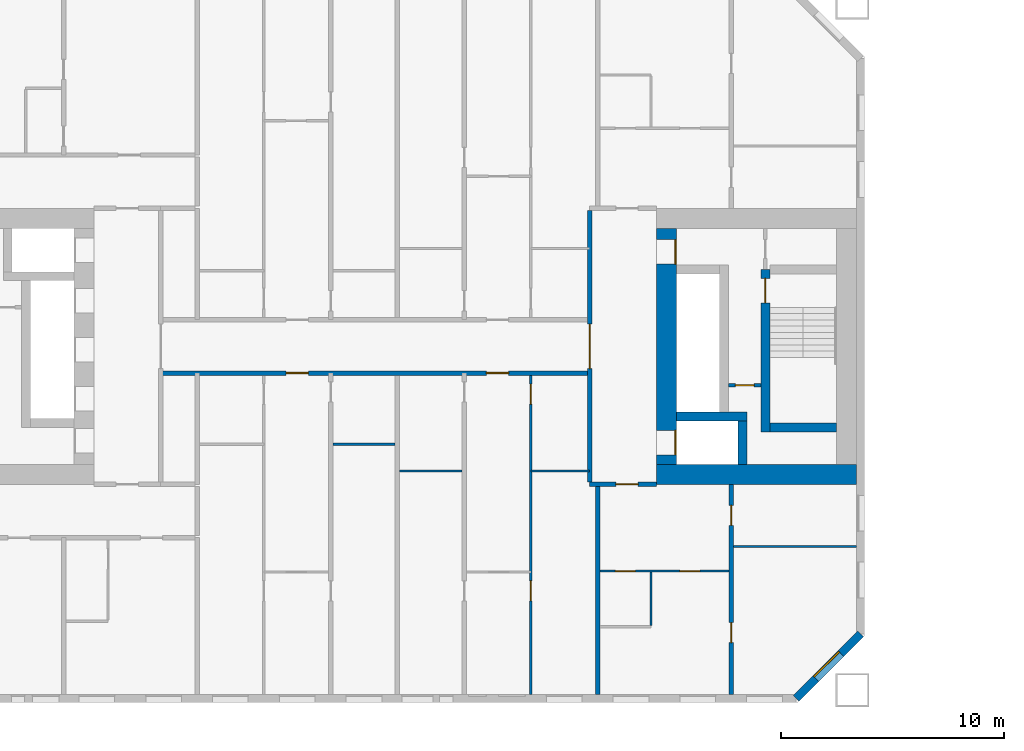
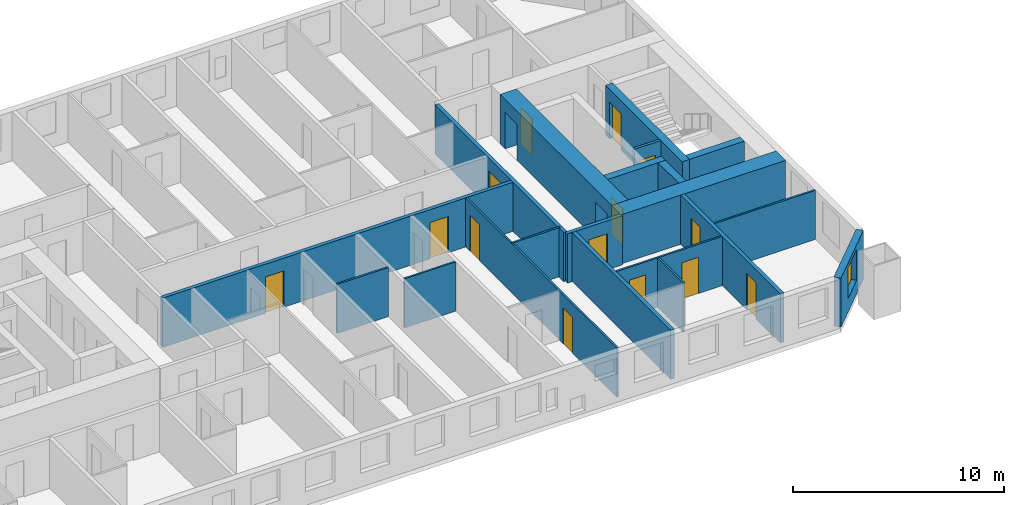
# One storey, part 7 of 17: 20 walls, 14 doors, 1 window, 15 openings.
"""IFC4 building model written with IfcOpenShell, lengths in metres."""

from ifc_helpers import new_model, si_unit, direction, frame, frame_2d, origin, place, context, subcontext, project, spatial, rectangle, extrude, material, layer, layer_set, type_object, element, fill, save


model = new_model("IFC4")

# Units and contexts
model_context = context("Model", 3, precision=1e-05, world=origin(), true_north=direction((0.0, 1.0)))
body_context = subcontext(model_context, "Body", "Model", "MODEL_VIEW")
ifc_project = project(units=[si_unit("LENGTHUNIT", "METRE"), si_unit("AREAUNIT", "SQUARE_METRE"), si_unit("VOLUMEUNIT", "CUBIC_METRE"), si_unit("PLANEANGLEUNIT", "RADIAN"), si_unit("MASSUNIT", "GRAM", prefix="KILO")], contexts=[model_context])

# Site, building, storey
site_placement = place(None, origin())
site = spatial("IfcSite", under=ifc_project, at=site_placement, CompositionType="ELEMENT")
building_placement = place(site_placement, origin())
building = spatial("IfcBuilding", under=site, at=building_placement, Name="Tuart Gate Housing", CompositionType="ELEMENT")
storey_placement = place(building_placement, frame((0.0, 0.0, 28.800048828125)))
storey = spatial("IfcBuildingStorey", under=building, at=storey_placement, Name="L07", CompositionType="ELEMENT", Elevation=28.800048828125)

# Wall, opening, window
ifc_material_1 = material(Name="Brick", Category="masonry")
ifc_layer_1 = layer(ifc_material_1, 0.360107421875)
ifc_layer_set_1 = layer_set([ifc_layer_1], Name="Brick pier and spandrel wall 360")
wall_type_1 = type_object("IfcWallType", Name="Brick pier and spandrel wall 360", PredefinedType="STANDARD", material=ifc_layer_set_1)
wall_1_placement = place(storey_placement, frame((72.92529296875, 54.179931640625, 0.0), z_axis=(0.0, 0.0, 1.0), x_axis=(0.707106781187, 0.707106781187, 0.0)))
wall_1 = element("IfcWall", 1, at=wall_1_placement, inside=storey, type_object=wall_type_1, Name="External wall A-SE L07", PredefinedType="STANDARD", context=body_context, shape_type="SweptSolid", body=[
    extrude(rectangle(XDim=4.09375, YDim=0.360107421875, at=frame_2d((2.046875, 0.0))), origin(), (0.0, 0.0, 1.0), 2.849853515625),
])
opening_1_placement = place(wall_1_placement, frame((1.2470703125, 0.0, 0.800048828125)))
opening_1 = element("IfcOpeningElement", 2, at=opening_1_placement, cuts=wall_1, Name="Opening W1", PredefinedType="OPENING", context=body_context, shape_type="SweptSolid", body=[
    extrude(rectangle(XDim=1.60009765625, YDim=1.800048828125, at=frame_2d((0.800048828125, 0.89990234375))), frame((0.0, 0.18994140625, 0.0), z_axis=(0.0, -1.0, 0.0), x_axis=(1.0, 0.0, 0.0)), (0.0, 0.0, 1.0), 0.380126953125),
])
ifc_material_2 = material(Name="Aluminium frame with clear glass", Category="aluminium")
window_type = type_object("IfcWindowType", Name="Punched window 1600 x 1800", PartitioningType="SINGLE_PANEL", PredefinedType="WINDOW", material=ifc_material_2)
window_placement = place(opening_1_placement, origin())
window = element("IfcWindow", 3, at=window_placement, inside=storey, type_object=window_type, Name="Window W1", OverallHeight=1.800048828125, OverallWidth=1.60009765625, PartitioningType="SINGLE_PANEL", PredefinedType="WINDOW", context=body_context, shape_type="SweptSolid", body=[
    extrude(rectangle(XDim=1.60009765625, YDim=1.800048828125, at=frame_2d((0.800048828125, 0.89990234375))), frame((0.0, 0.150146484375, 0.0), z_axis=(0.0, -1.0, 0.0), x_axis=(1.0, 0.0, 0.0)), (0.0, 0.0, 1.0), 0.06005859375),
])
fill(opening_1, window)

# Wall, opening, door
ifc_material_3 = material(Name="Plasterboard partition")
ifc_layer_2 = layer(ifc_material_3, 0.14990234375)
ifc_layer_set_2 = layer_set([ifc_layer_2], Name="Core partition 150")
wall_type_2 = type_object("IfcWallType", Name="Core partition 150", PredefinedType="PARTITIONING", material=ifc_layer_set_2)
wall_2_placement = place(storey_placement, frame((69.889892578125, 68.25, 0.0), z_axis=(0.0, 0.0, 1.0), x_axis=(1.0, 0.0, 0.0)))
wall_2 = element("IfcWall", 4, at=wall_2_placement, inside=storey, type_object=wall_type_2, Name="Core partition AG.3", PredefinedType="PARTITIONING", context=body_context, shape_type="SweptSolid", body=[
    extrude(rectangle(XDim=1.4501953125, YDim=0.14990234375, at=frame_2d((0.72509765625, 0.0))), origin(), (0.0, 0.0, 1.0), 2.849853515625),
])
opening_2_placement = place(wall_2_placement, frame((0.300048828125, 0.0, 0.0)))
opening_2 = element("IfcOpeningElement", 5, at=opening_2_placement, cuts=wall_2, Name="Opening D505", PredefinedType="OPENING", context=body_context, shape_type="SweptSolid", body=[
    extrude(rectangle(XDim=0.85009765625, YDim=2.10009765625, at=frame_2d((0.425048828125, 1.050048828125))), frame((0.0, 0.0849609375, 0.0), z_axis=(0.0, -1.0, 0.0), x_axis=(1.0, 0.0, 0.0)), (0.0, 0.0, 1.0), 0.169921875),
])
ifc_material_4 = material(Name="Steel fire door", Category="steel")
door_type_1 = type_object("IfcDoorType", Name="Riser door 850 x 2100 RH", OperationType="SINGLE_SWING_RIGHT", PredefinedType="DOOR", material=ifc_material_4)
door_1_placement = place(opening_2_placement, frame((0.85009765625, 0.0, 0.0), z_axis=(0.0, 0.0, 1.0), x_axis=(-1.0, 0.0, 0.0)))
door_1 = element("IfcDoor", 6, at=door_1_placement, inside=storey, type_object=door_type_1, Name="Service room door AG.E1", OperationType="SINGLE_SWING_RIGHT", OverallHeight=2.10009765625, OverallWidth=0.85009765625, PredefinedType="DOOR", context=body_context, shape_type="SweptSolid", body=[
    extrude(rectangle(XDim=0.85009765625, YDim=2.10009765625, at=frame_2d((0.425048828125, 1.050048828125))), frame((0.0, 0.025146484375, 0.0), z_axis=(0.0, -1.0, 0.0), x_axis=(1.0, 0.0, 0.0)), (0.0, 0.0, 1.0), 0.050048828125),
])
fill(opening_2, door_1)

# Walls
ifc_material_5 = material(Name="Concrete C60", Category="concrete")
ifc_layer_3 = layer(ifc_material_5, 0.39990234375)
ifc_layer_set_3 = layer_set([ifc_layer_3], Name="Core wall 400 C60")
wall_type_3 = type_object("IfcWallType", Name="Core wall 400 C60", PredefinedType="SHEAR", material=ifc_layer_set_3)
wall_3_placement = place(storey_placement, frame((71.739990234375, 66.35009765625, 0.0), z_axis=(0.0, 0.0, 1.0), x_axis=(1.0, 0.0, 0.0)))
element("IfcWall", 7, at=wall_3_placement, inside=storey, type_object=wall_type_3, Name="Core wall AG.1", PredefinedType="SHEAR", context=body_context, shape_type="SweptSolid", body=[
    extrude(rectangle(XDim=3.0, YDim=0.39990234375, at=frame_2d((1.5, 0.0))), origin(), (0.0, 0.0, 1.0), 2.849853515625),
])
wall_4_placement = place(storey_placement, frame((67.5400390625, 66.85009765625, 0.0), z_axis=(0.0, 0.0, 1.0), x_axis=(1.0, 0.0, 0.0)))
element("IfcWall", 8, at=wall_4_placement, inside=storey, type_object=wall_type_3, Name="Core wall AG.2", PredefinedType="SHEAR", context=body_context, shape_type="SweptSolid", body=[
    extrude(rectangle(XDim=3.169921875, YDim=0.39990234375, at=frame_2d((1.5849609375, 0.0))), origin(), (0.0, 0.0, 1.0), 2.849853515625),
])
wall_5_placement = place(storey_placement, frame((70.510009765625, 64.699951171875, 0.0), z_axis=(0.0, 0.0, 1.0), x_axis=(0.0, 1.0, 0.0)))
element("IfcWall", 9, at=wall_5_placement, inside=storey, type_object=wall_type_3, Name="Core wall AG.7", PredefinedType="SHEAR", context=body_context, shape_type="SweptSolid", body=[
    extrude(rectangle(XDim=1.949951171875, YDim=0.39990234375, at=frame_2d((0.97509765625, 0.0))), origin(), (0.0, 0.0, 1.0), 2.849853515625),
])

# Wall, opening, door
wall_6_placement = place(storey_placement, frame((71.5400390625, 66.14990234375, 0.0), z_axis=(0.0, 0.0, 1.0), x_axis=(0.0, 1.0, 0.0)))
wall_6 = element("IfcWall", 10, at=wall_6_placement, inside=storey, type_object=wall_type_3, Name="Core wall AG.8", PredefinedType="SHEAR", context=body_context, shape_type="SweptSolid", body=[
    extrude(rectangle(XDim=7.300048828125, YDim=0.39990234375, at=frame_2d((3.64990234375, 0.0))), origin(), (0.0, 0.0, 1.0), 2.849853515625),
])
opening_3_placement = place(wall_6_placement, frame((5.800048828125, 0.0, 0.0)))
opening_3 = element("IfcOpeningElement", 11, at=opening_3_placement, cuts=wall_6, Name="Opening D502", PredefinedType="OPENING", context=body_context, shape_type="SweptSolid", body=[
    extrude(rectangle(XDim=1.10009765625, YDim=2.10009765625, at=frame_2d((0.550048828125, 1.050048828125))), frame((0.0, 0.2099609375, 0.0), z_axis=(0.0, -1.0, 0.0), x_axis=(1.0, 0.0, 0.0)), (0.0, 0.0, 1.0), 0.419921875),
])
ifc_material_6 = material(Name="Steel fire door", Category="steel")
door_type_2 = type_object("IfcDoorType", Name="Stair door 1100 x 2100", OperationType="SINGLE_SWING_LEFT", PredefinedType="DOOR", material=ifc_material_6)
door_2_placement = place(opening_3_placement, frame((1.10009765625, 0.0, 0.0), z_axis=(0.0, 0.0, 1.0), x_axis=(-1.0, 0.0, 0.0)))
door_2 = element("IfcDoor", 12, at=door_2_placement, inside=storey, type_object=door_type_2, Name="Stair door AG.SD", OperationType="SINGLE_SWING_LEFT", OverallHeight=2.10009765625, OverallWidth=1.10009765625, PredefinedType="DOOR", context=body_context, shape_type="SweptSolid", body=[
    extrude(rectangle(XDim=1.10009765625, YDim=2.10009765625, at=frame_2d((0.550048828125, 1.050048828125))), frame((0.0, 0.025146484375, 0.0), z_axis=(0.0, -1.0, 0.0), x_axis=(1.0, 0.0, 0.0)), (0.0, 0.0, 1.0), 0.050048828125),
])
fill(opening_3, door_2)

# Wall, openings, doors
ifc_material_7 = material(Name="Concrete C60", Category="concrete")
ifc_layer_4 = layer(ifc_material_7, 0.89990234375)
ifc_layer_set_4 = layer_set([ifc_layer_4], Name="Core wall 900 C60")
wall_type_4 = type_object("IfcWallType", Name="Core wall 900 C60", PredefinedType="SHEAR", material=ifc_layer_set_4)
wall_7_placement = place(storey_placement, frame((67.090087890625, 64.699951171875, 0.0), z_axis=(0.0, 0.0, 1.0), x_axis=(0.0, 1.0, 0.0)))
wall_7 = element("IfcWall", 13, at=wall_7_placement, inside=storey, type_object=wall_type_4, Name="Core wall AG front", PredefinedType="SHEAR", context=body_context, shape_type="SweptSolid", body=[
    extrude(rectangle(XDim=10.60009765625, YDim=0.89990234375, at=frame_2d((5.300048828125, 0.0))), origin(), (0.0, 0.0, 1.0), 2.849853515625),
])
opening_4_placement = place(wall_7_placement, frame((0.425048828125, 0.0, 0.0)))
opening_4 = element("IfcOpeningElement", 14, at=opening_4_placement, cuts=wall_7, Name="Opening LD-FA1", PredefinedType="OPENING", context=body_context, shape_type="SweptSolid", body=[
    extrude(rectangle(XDim=1.10009765625, YDim=2.10009765625, at=frame_2d((0.550048828125, 1.050048828125))), frame((0.0, 0.4599609375, 0.0), z_axis=(0.0, -1.0, 0.0), x_axis=(1.0, 0.0, 0.0)), (0.0, 0.0, 1.0), 0.919921875),
])
opening_5_placement = place(wall_7_placement, frame((9.0, 0.0, 0.0)))
opening_5 = element("IfcOpeningElement", 15, at=opening_5_placement, cuts=wall_7, Name="Opening D501", PredefinedType="OPENING", context=body_context, shape_type="SweptSolid", body=[
    extrude(rectangle(XDim=1.10009765625, YDim=2.10009765625, at=frame_2d((0.550048828125, 1.050048828125))), frame((0.0, 0.4599609375, 0.0), z_axis=(0.0, -1.0, 0.0), x_axis=(1.0, 0.0, 0.0)), (0.0, 0.0, 1.0), 0.919921875),
])
ifc_material_8 = material(Name="Stainless steel", Category="steel")
door_type_3 = type_object("IfcDoorType", Name="Landing door 1100 x 2100", OperationType="DOUBLE_DOOR_SLIDING", PredefinedType="DOOR", material=ifc_material_8)
door_3_placement = place(opening_4_placement, origin())
door_3 = element("IfcDoor", 16, at=door_3_placement, inside=storey, type_object=door_type_3, Name="Lift landing door FA1", OperationType="DOUBLE_DOOR_SLIDING", OverallHeight=2.10009765625, OverallWidth=1.10009765625, PredefinedType="DOOR", context=body_context, shape_type="SweptSolid", body=[
    extrude(rectangle(XDim=1.10009765625, YDim=2.10009765625, at=frame_2d((0.550048828125, 1.050048828125))), frame((0.0, -0.384765625, 0.0), z_axis=(0.0, -1.0, 0.0), x_axis=(1.0, 0.0, 0.0)), (0.0, 0.0, 1.0), 0.050048828125),
])
fill(opening_4, door_3)
ifc_material_9 = material(Name="Steel fire door", Category="steel")
door_type_4 = type_object("IfcDoorType", Name="Lobby door 1100 x 2100 RH", OperationType="SINGLE_SWING_RIGHT", PredefinedType="DOOR", material=ifc_material_9)
door_4_placement = place(opening_5_placement, frame((1.10009765625, 0.0, 0.0), z_axis=(0.0, 0.0, 1.0), x_axis=(-1.0, 0.0, 0.0)))
door_4 = element("IfcDoor", 17, at=door_4_placement, inside=storey, type_object=door_type_4, Name="Lobby entry door AG.EN", OperationType="SINGLE_SWING_RIGHT", OverallHeight=2.10009765625, OverallWidth=1.10009765625, PredefinedType="DOOR", context=body_context, shape_type="SweptSolid", body=[
    extrude(rectangle(XDim=1.10009765625, YDim=2.10009765625, at=frame_2d((0.550048828125, 1.050048828125))), frame((0.0, 0.434814453125, 0.0), z_axis=(0.0, -1.0, 0.0), x_axis=(1.0, 0.0, 0.0)), (0.0, 0.0, 1.0), 0.050048828125),
])
fill(opening_5, door_4)

# Wall
wall_8_placement = place(storey_placement, frame((66.639892578125, 64.25, 0.0), z_axis=(0.0, 0.0, 1.0), x_axis=(1.0, 0.0, 0.0)))
element("IfcWall", 18, at=wall_8_placement, inside=storey, type_object=wall_type_4, Name="Core wall AG south", PredefinedType="SHEAR", context=body_context, shape_type="SweptSolid", body=[
    extrude(rectangle(XDim=9.0, YDim=0.89990234375, at=frame_2d((4.5, 0.0))), origin(), (0.0, 0.0, 1.0), 2.849853515625),
])

# Wall, openings, doors
ifc_material_10 = material(Name="Concrete masonry 15 MPa", Category="masonry")
ifc_layer_5 = layer(ifc_material_10, 0.199951171875)
ifc_layer_set_5 = layer_set([ifc_layer_5], Name="Corridor wall masonry 200")
wall_type_5 = type_object("IfcWallType", Name="Corridor wall masonry 200", PredefinedType="PARTITIONING", material=ifc_layer_set_5)
wall_9_placement = place(storey_placement, frame((44.360107421875, 68.800048828125, 0.0), z_axis=(0.0, 0.0, 1.0), x_axis=(1.0, 0.0, 0.0)))
wall_9 = element("IfcWall", 19, at=wall_9_placement, inside=storey, type_object=wall_type_5, Name="Corridor wall masonry 200", PredefinedType="PARTITIONING", context=body_context, shape_type="SweptSolid", body=[
    extrude(rectangle(XDim=19.27978515625, YDim=0.199951171875, at=frame_2d((9.639892578125, 0.0))), origin(), (0.0, 0.0, 1.0), 2.849853515625),
])
opening_6_placement = place(wall_9_placement, frame((14.639892578125, 0.0, 0.0)))
opening_6 = element("IfcOpeningElement", 20, at=opening_6_placement, cuts=wall_9, Name="Opening D503", PredefinedType="OPENING", context=body_context, shape_type="SweptSolid", body=[
    extrude(rectangle(XDim=1.0, YDim=2.10009765625, at=frame_2d((0.5, 1.050048828125))), frame((0.0, 0.10986328125, 0.0), z_axis=(0.0, -1.0, 0.0), x_axis=(1.0, 0.0, 0.0)), (0.0, 0.0, 1.0), 0.219970703125),
])
opening_7_placement = place(wall_9_placement, frame((5.639892578125, 0.0, 0.0)))
opening_7 = element("IfcOpeningElement", 21, at=opening_7_placement, cuts=wall_9, Name="Opening D504", PredefinedType="OPENING", context=body_context, shape_type="SweptSolid", body=[
    extrude(rectangle(XDim=1.0, YDim=2.10009765625, at=frame_2d((0.5, 1.050048828125))), frame((0.0, 0.10986328125, 0.0), z_axis=(0.0, -1.0, 0.0), x_axis=(1.0, 0.0, 0.0)), (0.0, 0.0, 1.0), 0.219970703125),
])
ifc_material_11 = material(Name="Timber door leaf in steel frame", Category="steel")
door_type_5 = type_object("IfcDoorType", Name="Flat entrance door 1000 RH", OperationType="SINGLE_SWING_RIGHT", PredefinedType="DOOR", material=ifc_material_11)
door_5_placement = place(opening_6_placement, frame((1.0, 0.0, 0.0), z_axis=(0.0, 0.0, 1.0), x_axis=(-1.0, 0.0, 0.0)))
door_5 = element("IfcDoor", 22, at=door_5_placement, inside=storey, type_object=door_type_5, Name="Flat entrance door", OperationType="SINGLE_SWING_RIGHT", OverallHeight=2.10009765625, OverallWidth=1.0, PredefinedType="DOOR", context=body_context, shape_type="SweptSolid", body=[
    extrude(rectangle(XDim=1.0, YDim=2.10009765625, at=frame_2d((0.5, 1.050048828125))), frame((0.0, 0.025146484375, 0.0), z_axis=(0.0, -1.0, 0.0), x_axis=(1.0, 0.0, 0.0)), (0.0, 0.0, 1.0), 0.050048828125),
])
fill(opening_6, door_5)
door_6_placement = place(opening_7_placement, frame((1.0, 0.0, 0.0), z_axis=(0.0, 0.0, 1.0), x_axis=(-1.0, 0.0, 0.0)))
door_6 = element("IfcDoor", 23, at=door_6_placement, inside=storey, type_object=door_type_5, Name="Flat entrance door", OperationType="SINGLE_SWING_RIGHT", OverallHeight=2.10009765625, OverallWidth=1.0, PredefinedType="DOOR", context=body_context, shape_type="SweptSolid", body=[
    extrude(rectangle(XDim=1.0, YDim=2.10009765625, at=frame_2d((0.5, 1.050048828125))), frame((0.0, 0.025146484375, 0.0), z_axis=(0.0, -1.0, 0.0), x_axis=(1.0, 0.0, 0.0)), (0.0, 0.0, 1.0), 0.050048828125),
])
fill(opening_7, door_6)

# Wall, opening, door
ifc_material_12 = material(Name="Concrete masonry 15 MPa", Category="masonry")
ifc_layer_6 = layer(ifc_material_12, 0.199951171875)
ifc_layer_set_6 = layer_set([ifc_layer_6], Name="Enclosure wall masonry 200")
wall_type_6 = type_object("IfcWallType", Name="Enclosure wall masonry 200", PredefinedType="PARTITIONING", material=ifc_layer_set_6)
wall_10_placement = place(storey_placement, frame((63.639892578125, 63.800048828125, 0.0), z_axis=(0.0, 0.0, 1.0), x_axis=(1.0, 0.0, 0.0)))
wall_10 = element("IfcWall", 24, at=wall_10_placement, inside=storey, type_object=wall_type_6, Name="Enclosure wall masonry 200", PredefinedType="PARTITIONING", context=body_context, shape_type="SweptSolid", body=[
    extrude(rectangle(XDim=3.0, YDim=0.199951171875, at=frame_2d((1.5, 0.0))), origin(), (0.0, 0.0, 1.0), 2.849853515625),
])
opening_8_placement = place(wall_10_placement, frame((1.179931640625, 0.0, 0.0)))
opening_8 = element("IfcOpeningElement", 25, at=opening_8_placement, cuts=wall_10, Name="Opening D509", PredefinedType="OPENING", context=body_context, shape_type="SweptSolid", body=[
    extrude(rectangle(XDim=1.0, YDim=2.10009765625, at=frame_2d((0.5, 1.050048828125))), frame((0.0, 0.10986328125, 0.0), z_axis=(0.0, -1.0, 0.0), x_axis=(1.0, 0.0, 0.0)), (0.0, 0.0, 1.0), 0.219970703125),
])
door_7_placement = place(opening_8_placement, frame((1.0, 0.0, 0.0), z_axis=(0.0, 0.0, 1.0), x_axis=(-1.0, 0.0, 0.0)))
door_7 = element("IfcDoor", 26, at=door_7_placement, inside=storey, type_object=door_type_5, Name="Flat entrance door", OperationType="SINGLE_SWING_RIGHT", OverallHeight=2.10009765625, OverallWidth=1.0, PredefinedType="DOOR", context=body_context, shape_type="SweptSolid", body=[
    extrude(rectangle(XDim=1.0, YDim=2.10009765625, at=frame_2d((0.5, 1.050048828125))), frame((0.0, 0.025146484375, 0.0), z_axis=(0.0, -1.0, 0.0), x_axis=(1.0, 0.0, 0.0)), (0.0, 0.0, 1.0), 0.050048828125),
])
fill(opening_8, door_7)

ifc_material_13 = material(Name="Plasterboard partition")
ifc_layer_7 = layer(ifc_material_13, 0.199951171875)
ifc_layer_set_7 = layer_set([ifc_layer_7], Name="Lobby wall 200")
wall_type_7 = type_object("IfcWallType", Name="Lobby wall 200", PredefinedType="PARTITIONING", material=ifc_layer_set_7)
wall_11_placement = place(storey_placement, frame((63.639892578125, 63.89990234375, 0.0), z_axis=(0.0, 0.0, 1.0), x_axis=(0.0, 1.0, 0.0)))
wall_11 = element("IfcWall", 27, at=wall_11_placement, inside=storey, type_object=wall_type_7, Name="Lift lobby wall AG", PredefinedType="PARTITIONING", context=body_context, shape_type="SweptSolid", body=[
    extrude(rectangle(XDim=12.2001953125, YDim=0.199951171875, at=frame_2d((6.10009765625, 0.0))), origin(), (0.0, 0.0, 1.0), 2.849853515625),
])
opening_9_placement = place(wall_11_placement, frame((5.10009765625, 0.0, 0.0)))
opening_9 = element("IfcOpeningElement", 28, at=opening_9_placement, cuts=wall_11, Name="Opening D500", PredefinedType="OPENING", context=body_context, shape_type="SweptSolid", body=[
    extrude(rectangle(XDim=2.0, YDim=2.10009765625, at=frame_2d((1.0, 1.050048828125))), frame((0.0, 0.10986328125, 0.0), z_axis=(0.0, -1.0, 0.0), x_axis=(1.0, 0.0, 0.0)), (0.0, 0.0, 1.0), 0.219970703125),
])
ifc_material_14 = material(Name="Steel fire door", Category="steel")
door_type_6 = type_object("IfcDoorType", Name="Smoke door 2000 x 2100", OperationType="DOUBLE_DOOR_SINGLE_SWING", PredefinedType="DOOR", material=ifc_material_14)
door_8_placement = place(opening_9_placement, frame((2.0, 0.0, 0.0), z_axis=(0.0, 0.0, 1.0), x_axis=(-1.0, 0.0, 0.0)))
door_8 = element("IfcDoor", 29, at=door_8_placement, inside=storey, type_object=door_type_6, Name="Lift lobby smoke door AG", OperationType="DOUBLE_DOOR_SINGLE_SWING", OverallHeight=2.10009765625, OverallWidth=2.0, PredefinedType="DOOR", context=body_context, shape_type="SweptSolid", body=[
    extrude(rectangle(XDim=2.0, YDim=2.10009765625, at=frame_2d((1.0, 1.050048828125))), frame((0.0, 0.025146484375, 0.0), z_axis=(0.0, -1.0, 0.0), x_axis=(1.0, 0.0, 0.0)), (0.0, 0.0, 1.0), 0.050048828125),
])
fill(opening_9, door_8)

# Wall, openings, doors
ifc_material_15 = material(Name="Gypsum board on steel studs", Category="steel")
ifc_layer_8 = layer(ifc_material_15, 0.10009765625)
ifc_layer_set_8 = layer_set([ifc_layer_8], Name="Partition 100")
wall_type_8 = type_object("IfcWallType", Name="Partition 100", PredefinedType="PARTITIONING", material=ifc_layer_set_8)
wall_12_placement = place(storey_placement, frame((64.10009765625, 59.89990234375, 0.0), z_axis=(0.0, 0.0, 1.0), x_axis=(1.0, 0.0, 0.0)))
wall_12 = element("IfcWall", 30, at=wall_12_placement, inside=storey, type_object=wall_type_8, Name="Partition 100", PredefinedType="PARTITIONING", context=body_context, shape_type="SweptSolid", body=[
    extrude(rectangle(XDim=5.7998046875, YDim=0.10009765625, at=frame_2d((2.89990234375, 0.0))), origin(), (0.0, 0.0, 1.0), 2.849853515625),
])
opening_10_placement = place(wall_12_placement, frame((3.60009765625, 0.0, 0.0)))
opening_10 = element("IfcOpeningElement", 31, at=opening_10_placement, cuts=wall_12, Name="Opening D523", PredefinedType="OPENING", context=body_context, shape_type="SweptSolid", body=[
    extrude(rectangle(XDim=0.89990234375, YDim=2.10009765625, at=frame_2d((0.449951171875, 1.050048828125))), frame((0.0, 0.06005859375, 0.0), z_axis=(0.0, -1.0, 0.0), x_axis=(1.0, 0.0, 0.0)), (0.0, 0.0, 1.0), 0.1201171875),
])
opening_11_placement = place(wall_12_placement, frame((0.699951171875, 0.0, 0.0)))
opening_11 = element("IfcOpeningElement", 32, at=opening_11_placement, cuts=wall_12, Name="Opening D522", PredefinedType="OPENING", context=body_context, shape_type="SweptSolid", body=[
    extrude(rectangle(XDim=0.89990234375, YDim=2.10009765625, at=frame_2d((0.449951171875, 1.050048828125))), frame((0.0, 0.06005859375, 0.0), z_axis=(0.0, -1.0, 0.0), x_axis=(1.0, 0.0, 0.0)), (0.0, 0.0, 1.0), 0.1201171875),
])
ifc_material_16 = material(Name="Timber door leaf in steel frame", Category="steel")
door_type_7 = type_object("IfcDoorType", Name="Bathroom door 900", OperationType="SINGLE_SWING_LEFT", PredefinedType="DOOR", material=ifc_material_16)
door_9_placement = place(opening_11_placement, frame((0.89990234375, 0.0, 0.0), z_axis=(0.0, 0.0, 1.0), x_axis=(-1.0, 0.0, 0.0)))
door_9 = element("IfcDoor", 33, at=door_9_placement, inside=storey, type_object=door_type_7, Name="Bathroom door", OperationType="SINGLE_SWING_LEFT", OverallHeight=2.10009765625, OverallWidth=0.89990234375, PredefinedType="DOOR", context=body_context, shape_type="SweptSolid", body=[
    extrude(rectangle(XDim=0.89990234375, YDim=2.10009765625, at=frame_2d((0.449951171875, 1.050048828125))), frame((0.0, 0.025146484375, 0.0), z_axis=(0.0, -1.0, 0.0), x_axis=(1.0, 0.0, 0.0)), (0.0, 0.0, 1.0), 0.050048828125),
])
fill(opening_11, door_9)
ifc_material_17 = material(Name="Timber door leaf in steel frame", Category="steel")
door_type_8 = type_object("IfcDoorType", Name="Internal door 900 RH", OperationType="SINGLE_SWING_RIGHT", PredefinedType="DOOR", material=ifc_material_17)
door_10_placement = place(opening_10_placement, origin())
door_10 = element("IfcDoor", 34, at=door_10_placement, inside=storey, type_object=door_type_8, Name="Internal door", OperationType="SINGLE_SWING_RIGHT", OverallHeight=2.10009765625, OverallWidth=0.89990234375, PredefinedType="DOOR", context=body_context, shape_type="SweptSolid", body=[
    extrude(rectangle(XDim=0.89990234375, YDim=2.10009765625, at=frame_2d((0.449951171875, 1.050048828125))), frame((0.0, 0.02490234375, 0.0), z_axis=(0.0, -1.0, 0.0), x_axis=(1.0, 0.0, 0.0)), (0.0, 0.0, 1.0), 0.050048828125),
])
fill(opening_10, door_10)

# Walls
wall_13_placement = place(storey_placement, frame((70.10009765625, 61.0, 0.0), z_axis=(0.0, 0.0, 1.0), x_axis=(1.0, 0.0, 0.0)))
element("IfcWall", 35, at=wall_13_placement, inside=storey, type_object=wall_type_8, Name="Partition 100", PredefinedType="PARTITIONING", context=body_context, shape_type="SweptSolid", body=[
    extrude(rectangle(XDim=5.539794921875, YDim=0.10009765625, at=frame_2d((2.77001953125, 0.0))), origin(), (0.0, 0.0, 1.0), 2.849853515625),
])
wall_14_placement = place(storey_placement, frame((55.10009765625, 64.39990234375, 0.0), z_axis=(0.0, 0.0, 1.0), x_axis=(1.0, 0.0, 0.0)))
element("IfcWall", 36, at=wall_14_placement, inside=storey, type_object=wall_type_8, Name="Partition 100", PredefinedType="PARTITIONING", context=body_context, shape_type="SweptSolid", body=[
    extrude(rectangle(XDim=2.7998046875, YDim=0.10009765625, at=frame_2d((1.39990234375, 0.0))), origin(), (0.0, 0.0, 1.0), 2.849853515625),
])
wall_15_placement = place(storey_placement, frame((61.0, 64.39990234375, 0.0), z_axis=(0.0, 0.0, 1.0), x_axis=(1.0, 0.0, 0.0)))
element("IfcWall", 37, at=wall_15_placement, inside=storey, type_object=wall_type_8, Name="Partition 100", PredefinedType="PARTITIONING", context=body_context, shape_type="SweptSolid", body=[
    extrude(rectangle(XDim=2.639892578125, YDim=0.10009765625, at=frame_2d((1.31982421875, 0.0))), origin(), (0.0, 0.0, 1.0), 2.849853515625),
])
wall_16_placement = place(storey_placement, frame((52.10009765625, 65.60009765625, 0.0), z_axis=(0.0, 0.0, 1.0), x_axis=(1.0, 0.0, 0.0)))
element("IfcWall", 38, at=wall_16_placement, inside=storey, type_object=wall_type_8, Name="Partition 100", PredefinedType="PARTITIONING", context=body_context, shape_type="SweptSolid", body=[
    extrude(rectangle(XDim=2.7998046875, YDim=0.10009765625, at=frame_2d((1.39990234375, 0.0))), origin(), (0.0, 0.0, 1.0), 2.849853515625),
])

# Wall, openings, doors
wall_17_placement = place(storey_placement, frame((61.0, 54.360107421875, 0.0), z_axis=(0.0, 0.0, 1.0), x_axis=(0.0, 1.0, 0.0)))
wall_17 = element("IfcWall", 39, at=wall_17_placement, inside=storey, type_object=wall_type_8, Name="Partition 100", PredefinedType="PARTITIONING", context=body_context, shape_type="SweptSolid", body=[
    extrude(rectangle(XDim=14.33984375, YDim=0.10009765625, at=frame_2d((7.169921875, 0.0))), origin(), (0.0, 0.0, 1.0), 2.849853515625),
])
opening_12_placement = place(wall_17_placement, frame((4.199951171875, 0.0, 0.0)))
opening_12 = element("IfcOpeningElement", 40, at=opening_12_placement, cuts=wall_17, Name="Opening D517", PredefinedType="OPENING", context=body_context, shape_type="SweptSolid", body=[
    extrude(rectangle(XDim=0.89990234375, YDim=2.10009765625, at=frame_2d((0.449951171875, 1.050048828125))), frame((0.0, 0.06005859375, 0.0), z_axis=(0.0, -1.0, 0.0), x_axis=(1.0, 0.0, 0.0)), (0.0, 0.0, 1.0), 0.1201171875),
])
opening_13_placement = place(wall_17_placement, frame((13.0400390625, 0.0, 0.0)))
opening_13 = element("IfcOpeningElement", 41, at=opening_13_placement, cuts=wall_17, Name="Opening D516", PredefinedType="OPENING", context=body_context, shape_type="SweptSolid", body=[
    extrude(rectangle(XDim=0.89990234375, YDim=2.10009765625, at=frame_2d((0.449951171875, 1.050048828125))), frame((0.0, 0.06005859375, 0.0), z_axis=(0.0, -1.0, 0.0), x_axis=(1.0, 0.0, 0.0)), (0.0, 0.0, 1.0), 0.1201171875),
])
door_11_placement = place(opening_13_placement, frame((0.89990234375, 0.0, 0.0), z_axis=(0.0, 0.0, 1.0), x_axis=(-1.0, 0.0, 0.0)))
door_11 = element("IfcDoor", 42, at=door_11_placement, inside=storey, type_object=door_type_7, Name="Bathroom door", OperationType="SINGLE_SWING_LEFT", OverallHeight=2.10009765625, OverallWidth=0.89990234375, PredefinedType="DOOR", context=body_context, shape_type="SweptSolid", body=[
    extrude(rectangle(XDim=0.89990234375, YDim=2.10009765625, at=frame_2d((0.449951171875, 1.050048828125))), frame((0.0, 0.025146484375, 0.0), z_axis=(0.0, -1.0, 0.0), x_axis=(1.0, 0.0, 0.0)), (0.0, 0.0, 1.0), 0.050048828125),
])
fill(opening_13, door_11)
door_12_placement = place(opening_12_placement, frame((0.89990234375, 0.0, 0.0), z_axis=(0.0, 0.0, 1.0), x_axis=(-1.0, 0.0, 0.0)))
door_12 = element("IfcDoor", 43, at=door_12_placement, inside=storey, type_object=door_type_8, Name="Internal door", OperationType="SINGLE_SWING_RIGHT", OverallHeight=2.10009765625, OverallWidth=0.89990234375, PredefinedType="DOOR", context=body_context, shape_type="SweptSolid", body=[
    extrude(rectangle(XDim=0.89990234375, YDim=2.10009765625, at=frame_2d((0.449951171875, 1.050048828125))), frame((0.0, 0.025146484375, 0.0), z_axis=(0.0, -1.0, 0.0), x_axis=(1.0, 0.0, 0.0)), (0.0, 0.0, 1.0), 0.050048828125),
])
fill(opening_12, door_12)

# Walls
wall_18_placement = place(storey_placement, frame((66.39990234375, 57.449951171875, 0.0), z_axis=(0.0, 0.0, 1.0), x_axis=(0.0, 1.0, 0.0)))
element("IfcWall", 44, at=wall_18_placement, inside=storey, type_object=wall_type_8, Name="Partition 100", PredefinedType="PARTITIONING", context=body_context, shape_type="SweptSolid", body=[
    extrude(rectangle(XDim=2.400146484375, YDim=0.10009765625, at=frame_2d((1.2001953125, 0.0))), origin(), (0.0, 0.0, 1.0), 2.849853515625),
])
ifc_material_18 = material(Name="Concrete C40", Category="concrete")
ifc_layer_9 = layer(ifc_material_18, 0.199951171875)
ifc_layer_set_9 = layer_set([ifc_layer_9], Name="Party wall concrete C40 200")
wall_type_9 = type_object("IfcWallType", Name="Party wall concrete C40 200", PredefinedType="SOLIDWALL", material=ifc_layer_set_9)
wall_19_placement = place(storey_placement, frame((64.0, 54.360107421875, 0.0), z_axis=(0.0, 0.0, 1.0), x_axis=(0.0, 1.0, 0.0)))
element("IfcWall", 45, at=wall_19_placement, inside=storey, type_object=wall_type_9, Name="Party wall concrete C40 200", PredefinedType="SOLIDWALL", context=body_context, shape_type="SweptSolid", body=[
    extrude(rectangle(XDim=9.43994140625, YDim=0.199951171875, at=frame_2d((4.719970703125, 0.0))), origin(), (0.0, 0.0, 1.0), 2.849853515625),
])

# Wall, openings, doors
wall_20_placement = place(storey_placement, frame((70.0, 54.360107421875, 0.0), z_axis=(0.0, 0.0, 1.0), x_axis=(0.0, 1.0, 0.0)))
wall_20 = element("IfcWall", 46, at=wall_20_placement, inside=storey, type_object=wall_type_9, Name="Party wall concrete C40 200", PredefinedType="SOLIDWALL", context=body_context, shape_type="SweptSolid", body=[
    extrude(rectangle(XDim=9.43994140625, YDim=0.199951171875, at=frame_2d((4.719970703125, 0.0))), origin(), (0.0, 0.0, 1.0), 2.849853515625),
])
opening_14_placement = place(wall_20_placement, frame((2.320068359375, 0.0, 0.0)))
opening_14 = element("IfcOpeningElement", 47, at=opening_14_placement, cuts=wall_20, Name="Opening D530", PredefinedType="OPENING", context=body_context, shape_type="SweptSolid", body=[
    extrude(rectangle(XDim=0.89990234375, YDim=2.10009765625, at=frame_2d((0.449951171875, 1.050048828125))), frame((0.0, 0.10986328125, 0.0), z_axis=(0.0, -1.0, 0.0), x_axis=(1.0, 0.0, 0.0)), (0.0, 0.0, 1.0), 0.219970703125),
])
opening_15_placement = place(wall_20_placement, frame((7.590087890625, 0.0, 0.0)))
opening_15 = element("IfcOpeningElement", 48, at=opening_15_placement, cuts=wall_20, Name="Opening D531", PredefinedType="OPENING", context=body_context, shape_type="SweptSolid", body=[
    extrude(rectangle(XDim=0.89990234375, YDim=2.10009765625, at=frame_2d((0.449951171875, 1.050048828125))), frame((0.0, 0.10986328125, 0.0), z_axis=(0.0, -1.0, 0.0), x_axis=(1.0, 0.0, 0.0)), (0.0, 0.0, 1.0), 0.219970703125),
])
door_13_placement = place(opening_14_placement, frame((0.89990234375, 0.0, 0.0), z_axis=(0.0, 0.0, 1.0), x_axis=(-1.0, 0.0, 0.0)))
door_13 = element("IfcDoor", 49, at=door_13_placement, inside=storey, type_object=door_type_8, Name="Internal door", OperationType="SINGLE_SWING_RIGHT", OverallHeight=2.10009765625, OverallWidth=0.89990234375, PredefinedType="DOOR", context=body_context, shape_type="SweptSolid", body=[
    extrude(rectangle(XDim=0.89990234375, YDim=2.10009765625, at=frame_2d((0.449951171875, 1.050048828125))), frame((0.0, 0.025146484375, 0.0), z_axis=(0.0, -1.0, 0.0), x_axis=(1.0, 0.0, 0.0)), (0.0, 0.0, 1.0), 0.050048828125),
])
fill(opening_14, door_13)
door_14_placement = place(opening_15_placement, frame((0.89990234375, 0.0, 0.0), z_axis=(0.0, 0.0, 1.0), x_axis=(-1.0, 0.0, 0.0)))
door_14 = element("IfcDoor", 50, at=door_14_placement, inside=storey, type_object=door_type_8, Name="Internal door", OperationType="SINGLE_SWING_RIGHT", OverallHeight=2.10009765625, OverallWidth=0.89990234375, PredefinedType="DOOR", context=body_context, shape_type="SweptSolid", body=[
    extrude(rectangle(XDim=0.89990234375, YDim=2.10009765625, at=frame_2d((0.449951171875, 1.050048828125))), frame((0.0, 0.025146484375, 0.0), z_axis=(0.0, -1.0, 0.0), x_axis=(1.0, 0.0, 0.0)), (0.0, 0.0, 1.0), 0.050048828125),
])
fill(opening_15, door_14)

save(model, "model.ifc")
